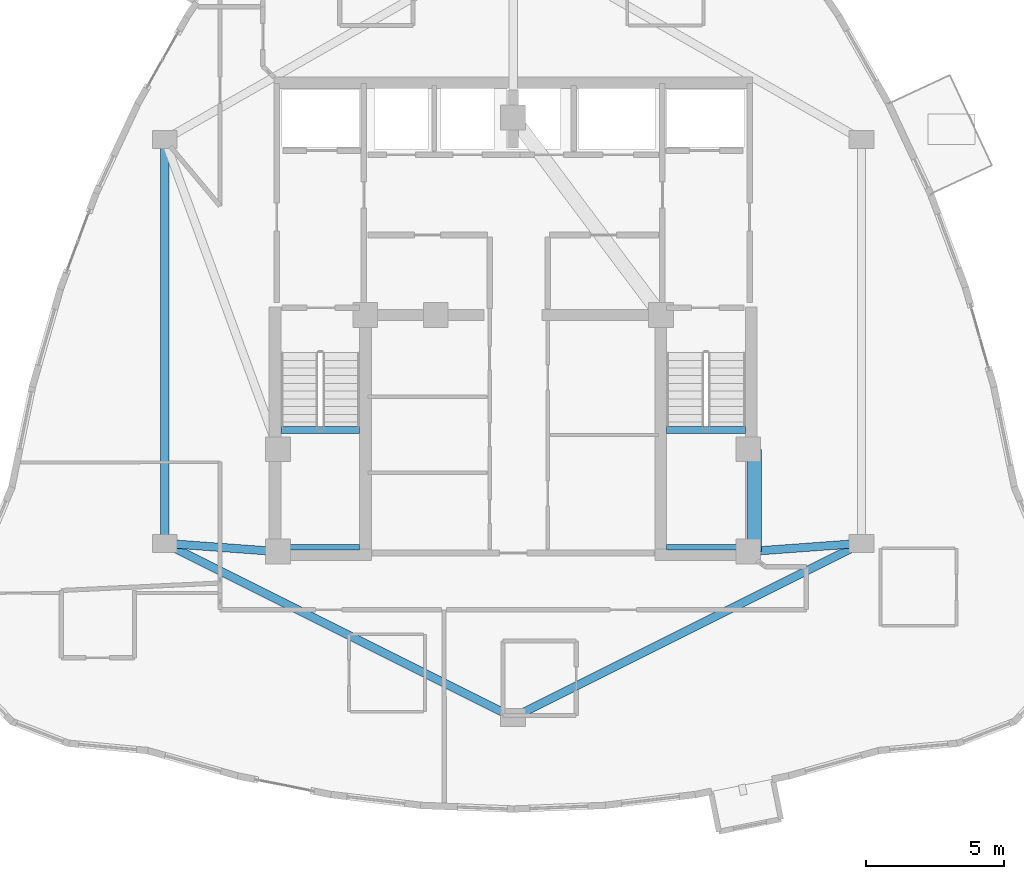
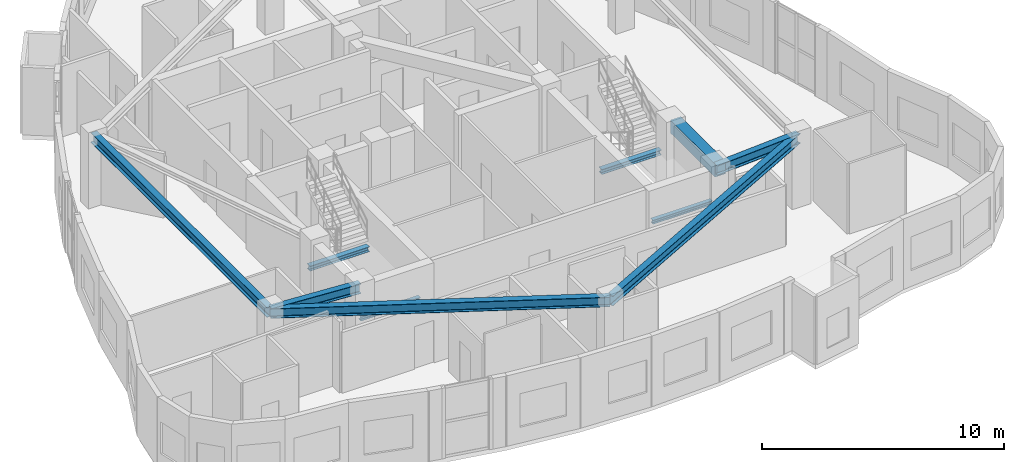
# One storey, part 3 of 16: 10 beams.
"""IFC4 building model written with IfcOpenShell, lengths in metres."""

from ifc_helpers import new_model, si_unit, direction, frame, origin, origin_2d, place, context, subcontext, project, spatial, rectangle, i_section, extrude, material, material_profile, profile_set, type_object, element, save


model = new_model("IFC4")

# Units and contexts
model_context = context("Model", 3, precision=1e-05, world=origin(), true_north=direction((0.0, 1.0)))
body_context = subcontext(model_context, "Body", "Model", "MODEL_VIEW")
ifc_project = project(units=[si_unit("LENGTHUNIT", "METRE"), si_unit("AREAUNIT", "SQUARE_METRE"), si_unit("VOLUMEUNIT", "CUBIC_METRE"), si_unit("PLANEANGLEUNIT", "RADIAN"), si_unit("MASSUNIT", "GRAM", prefix="KILO")], contexts=[model_context])

# Site, building, storey
site_placement = place(None, origin())
site = spatial("IfcSite", under=ifc_project, at=site_placement, CompositionType="ELEMENT")
building_placement = place(site_placement, origin())
building = spatial("IfcBuilding", under=site, at=building_placement, Name="Miruveldt Soraemaru", CompositionType="ELEMENT")
storey_placement = place(building_placement, frame((0.0, 0.0, 271.25)))
storey = spatial("IfcBuildingStorey", under=building, at=storey_placement, Name="L74", CompositionType="ELEMENT", Elevation=271.25)

# Beams
ifc_material_1 = material(Name="Concrete C50/60 (50 MPa)", Category="concrete")
ifc_material_profile_1 = material_profile(ifc_material_1, rectangle(XDim=0.5, YDim=0.64990234375, at=origin_2d()), Name="Concrete C50/60 (50 MPa)", Category="concrete")
ifc_profile_set_1 = profile_set([ifc_material_profile_1], Name="Concrete C50/60 (50 MPa)")
beam_type_1 = type_object("IfcBeamType", Name="BM-RC-500x650", PredefinedType="BEAM", material=ifc_profile_set_1)
beam_1_placement = place(storey_placement, frame((52.72998046875, 35.5, 3.239990234375), z_axis=(0.0, 1.0, 0.0), x_axis=(-1.0, 0.0, 0.0)))
element("IfcBeam", 1, at=beam_1_placement, inside=storey, type_object=beam_type_1, Name="L74 Core Tie Beam 3", PredefinedType="BEAM", context=body_context, shape_type="SweptSolid", body=[
    extrude(rectangle(XDim=0.5, YDim=0.64990234375, at=origin_2d()), origin(), (0.0, 0.0, 1.0), 3.699951171875),
])
ifc_material_2 = material(Name="Steel SM355 (355 MPa)", Category="steel")
ifc_material_profile_2 = material_profile(ifc_material_2, i_section(OverallWidth=0.300048828125, OverallDepth=0.488037109375, WebThickness=0.010986328125, FlangeThickness=0.01806640625, FilletRadius=0.02587890625, at=origin_2d()), Name="Steel SM355 (355 MPa)", Category="steel")
ifc_profile_set_2 = profile_set([ifc_material_profile_2], Name="Steel SM355 (355 MPa)")
beam_type_2 = type_object("IfcBeamType", Name="BM-ST-H488", PredefinedType="BEAM", material=ifc_profile_set_2)
beam_2_placement = place(storey_placement, frame((56.60009765625, 35.800048828125, 3.321044921875), z_axis=(-0.894427191, -0.4472135955, 0.0), x_axis=(0.4472135955, -0.894427191, 0.0)))
element("IfcBeam", 2, at=beam_2_placement, inside=storey, type_object=beam_type_2, Name="L74 Inner Ring Girder 3", PredefinedType="BEAM", context=body_context, shape_type="SweptSolid", body=[
    extrude(i_section(OverallWidth=0.300048828125, OverallDepth=0.488037109375, WebThickness=0.010986328125, FlangeThickness=0.01806640625, FilletRadius=0.02587890625, at=origin_2d()), origin(), (0.0, 0.0, 1.0), 14.08740234375),
])
beam_3_placement = place(storey_placement, frame((52.5, 35.5, 3.321044921875), z_axis=(0.997332985605, 0.072985723431, 0.0), x_axis=(-0.072985723431, 0.997332985605, 0.0)))
element("IfcBeam", 3, at=beam_3_placement, inside=storey, type_object=beam_type_2, Name="L74 Core-to-Inner Radial Girder 3", PredefinedType="BEAM", context=body_context, shape_type="SweptSolid", body=[
    extrude(i_section(OverallWidth=0.300048828125, OverallDepth=0.488037109375, WebThickness=0.010986328125, FlangeThickness=0.01806640625, FilletRadius=0.02587890625, at=origin_2d()), origin(), (0.0, 0.0, 1.0), 4.111083984375),
])
beam_4_placement = place(storey_placement, frame((44.0, 29.5, 3.321044921875), z_axis=(-0.894427191, 0.4472135955, 0.0), x_axis=(-0.4472135955, -0.894427191, 0.0)))
element("IfcBeam", 4, at=beam_4_placement, inside=storey, type_object=beam_type_2, Name="L74 Inner Ring Girder 4", PredefinedType="BEAM", context=body_context, shape_type="SweptSolid", body=[
    extrude(i_section(OverallWidth=0.300048828125, OverallDepth=0.488037109375, WebThickness=0.010986328125, FlangeThickness=0.01806640625, FilletRadius=0.02587890625, at=origin_2d()), origin(), (0.0, 0.0, 1.0), 14.08740234375),
])
beam_5_placement = place(storey_placement, frame((31.39990234375, 35.800048828125, 3.321044921875), z_axis=(0.0, 1.0, 0.0), x_axis=(-1.0, 0.0, 0.0)))
element("IfcBeam", 5, at=beam_5_placement, inside=storey, type_object=beam_type_2, Name="L74 Inner Ring Girder 5", PredefinedType="BEAM", context=body_context, shape_type="SweptSolid", body=[
    extrude(i_section(OverallWidth=0.300048828125, OverallDepth=0.488037109375, WebThickness=0.010986328125, FlangeThickness=0.01806640625, FilletRadius=0.02587890625, at=origin_2d()), origin(), (0.0, 0.0, 1.0), 14.599853515625),
])
beam_6_placement = place(storey_placement, frame((35.5, 35.5, 3.321044921875), z_axis=(-0.997332985605, 0.072985723431, 0.0), x_axis=(-0.072985723431, -0.997332985605, 0.0)))
element("IfcBeam", 6, at=beam_6_placement, inside=storey, type_object=beam_type_2, Name="L74 Core-to-Inner Radial Girder 5", PredefinedType="BEAM", context=body_context, shape_type="SweptSolid", body=[
    extrude(i_section(OverallWidth=0.300048828125, OverallDepth=0.488037109375, WebThickness=0.010986328125, FlangeThickness=0.01806640625, FilletRadius=0.02587890625, at=origin_2d()), origin(), (0.0, 0.0, 1.0), 4.111083984375),
])
ifc_material_profile_3 = material_profile(ifc_material_2, i_section(OverallWidth=0.199951171875, OverallDepth=0.199951171875, WebThickness=0.008056640625, FlangeThickness=0.011962890625, FilletRadius=0.012939453125, at=origin_2d()), Name="Steel SM355 (355 MPa)", Category="steel")
ifc_profile_set_3 = profile_set([ifc_material_profile_3], Name="Steel SM355 (355 MPa)")
beam_type_3 = type_object("IfcBeamType", Name="BM-ST-LND200", PredefinedType="BEAM", material=ifc_profile_set_3)
for number, where, z_axis, x_axis, name in (
    (7, (35.60009765625, 35.64990234375, 1.625), (1.0, 0.0, 0.0), (0.0, 1.0, 0.0), "L74 ST1 Landing End Beam 1B"),
    (8, (49.550048828125, 35.64990234375, 1.625), (1.0, 0.0, 0.0), (0.0, 1.0, 0.0), "L74 ST2 Landing End Beam 1B"),
):
    element("IfcBeam", number, at=place(storey_placement, frame(where, z_axis=z_axis, x_axis=x_axis)), inside=storey, type_object=beam_type_3, Name=name, PredefinedType="BEAM", context=body_context, shape_type="SweptSolid", body=[
        extrude(i_section(OverallWidth=0.199951171875, OverallDepth=0.199951171875, WebThickness=0.008056640625, FlangeThickness=0.011962890625, FilletRadius=0.012939453125, at=origin_2d()), origin(), (0.0, 0.0, 1.0), 2.849853515625),
    ])
ifc_material_profile_4 = material_profile(ifc_material_2, i_section(OverallWidth=0.25, OverallDepth=0.25, WebThickness=0.009033203125, FlangeThickness=0.013916015625, FilletRadius=0.01611328125, at=origin_2d()), Name="Steel SM355 (355 MPa)", Category="steel")
ifc_profile_set_4 = profile_set([ifc_material_profile_4], Name="Steel SM355 (355 MPa)")
beam_type_4 = type_object("IfcBeamType", Name="BM-ST-LND250", PredefinedType="BEAM", material=ifc_profile_set_4)
for number, where, z_axis, x_axis, name in (
    (9, (35.60009765625, 39.89990234375, 1.60009765625), (1.0, 0.0, 0.0), (0.0, 1.0, 0.0), "L74 ST1 Landing Support Beam 1A"),
    (10, (49.550048828125, 39.89990234375, 1.60009765625), (1.0, 0.0, 0.0), (0.0, 1.0, 0.0), "L74 ST2 Landing Support Beam 1A"),
):
    element("IfcBeam", number, at=place(storey_placement, frame(where, z_axis=z_axis, x_axis=x_axis)), inside=storey, type_object=beam_type_4, Name=name, PredefinedType="BEAM", context=body_context, shape_type="SweptSolid", body=[
        extrude(i_section(OverallWidth=0.25, OverallDepth=0.25, WebThickness=0.009033203125, FlangeThickness=0.013916015625, FilletRadius=0.01611328125, at=origin_2d()), origin(), (0.0, 0.0, 1.0), 2.849853515625),
    ])

save(model, "model.ifc")
